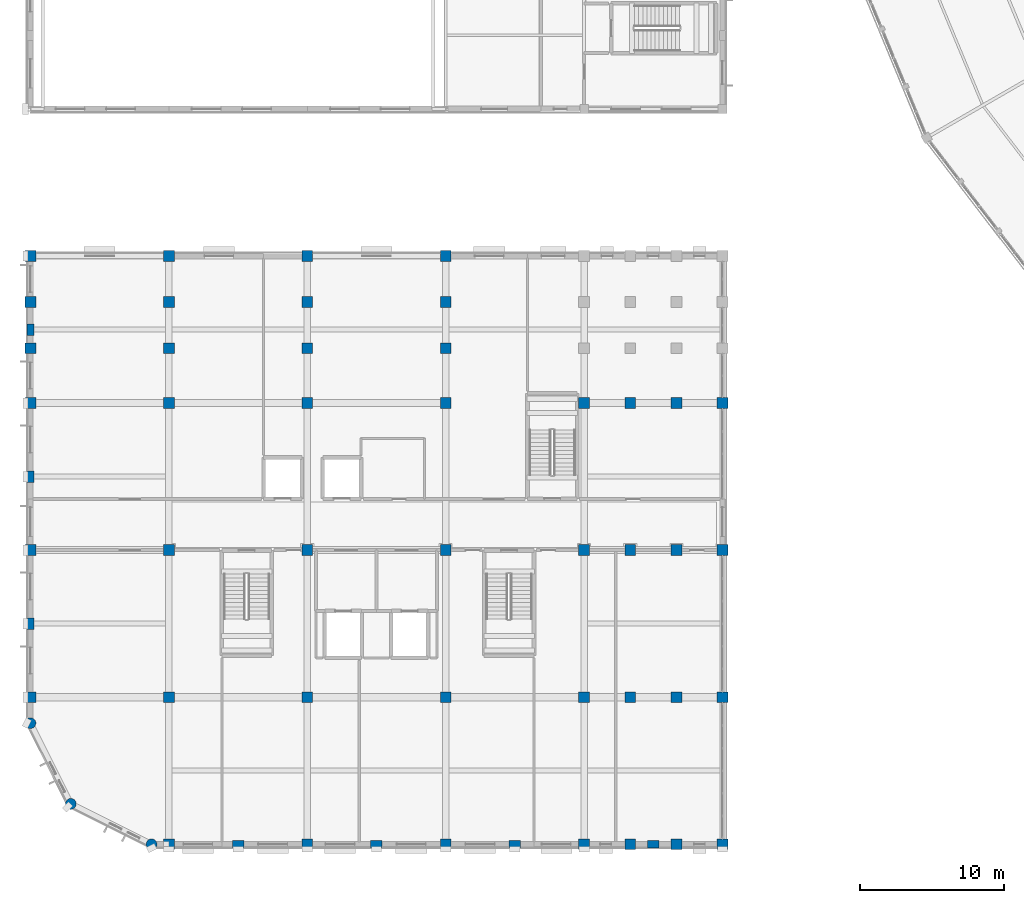
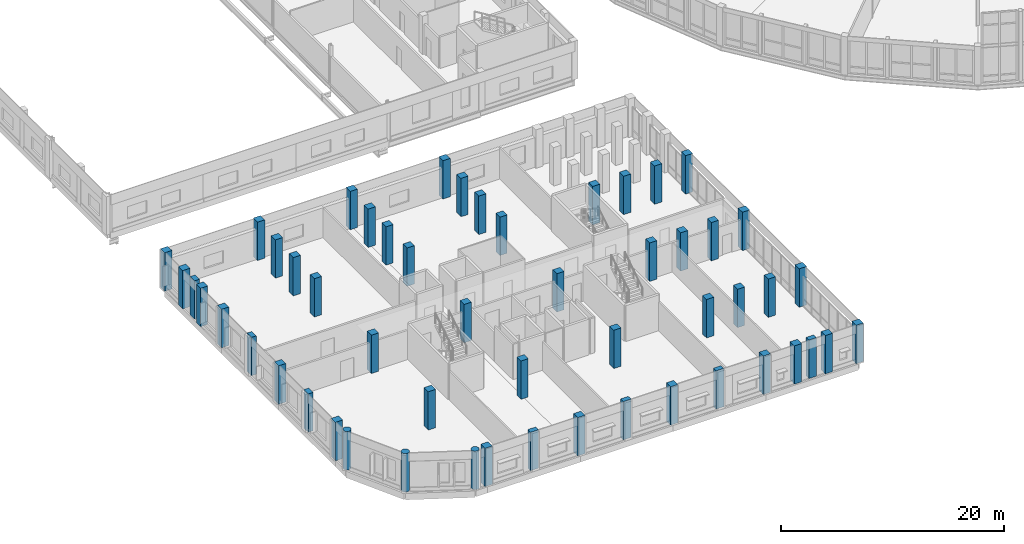
# One storey, part 1 of 170: 53 columns.
"""IFC4 building model written with IfcOpenShell, lengths in metres."""

from ifc_helpers import new_model, si_unit, direction, frame, origin, origin_2d, place, context, subcontext, project, spatial, rectangle, circle, extrude, material, material_profile, profile_set, type_object, element, save


model = new_model("IFC4")

# Units and contexts
model_context = context("Model", 3, precision=1e-05, world=origin(), true_north=direction((0.0, 1.0)))
body_context = subcontext(model_context, "Body", "Model", "MODEL_VIEW")
ifc_project = project(units=[si_unit("LENGTHUNIT", "METRE"), si_unit("AREAUNIT", "SQUARE_METRE"), si_unit("VOLUMEUNIT", "CUBIC_METRE"), si_unit("PLANEANGLEUNIT", "RADIAN"), si_unit("MASSUNIT", "GRAM", prefix="KILO")], contexts=[model_context])

# Site, building, storey
site_placement = place(None, origin())
site = spatial("IfcSite", under=ifc_project, at=site_placement, CompositionType="ELEMENT")
building_placement = place(site_placement, origin())
building = spatial("IfcBuilding", under=site, at=building_placement, Name="Vondelvale Polytechnic", CompositionType="ELEMENT")
storey_placement = place(building_placement, frame((0.0, 0.0, 5.39990234375)))
storey = spatial("IfcBuildingStorey", under=building, at=storey_placement, Name="L01", CompositionType="ELEMENT", Elevation=5.39990234375)

# Columns
ifc_material = material(Name="Concrete N50 (f'c = 50 MPa)", Category="concrete")
ifc_material_profile_1 = material_profile(ifc_material, rectangle(XDim=0.75, YDim=0.75, at=origin_2d()), Name="RC-COL-750x750")
ifc_profile_set_1 = profile_set([ifc_material_profile_1], Name="Concrete N50 (f'c = 50 MPa)")
column_type_1 = type_object("IfcColumnType", Name="COL-RC750", PredefinedType="COLUMN", material=ifc_profile_set_1)
for number, where, z_axis, x_axis, name in (
    (1, (0.0, 10.199951171875, 0.0), (0.0, 0.0, 1.0), (1.0, 0.0, 0.0), "L01 corner wing column (0.0,10.2)"),
    (2, (0.0, 20.39990234375, 0.0), (0.0, 0.0, 1.0), (1.0, 0.0, 0.0), "L01 corner wing column (0.0,20.4)"),
    (3, (0.0, 30.60009765625, 0.0), (0.0, 0.0, 1.0), (1.0, 0.0, 0.0), "L01 corner wing column (0.0,30.6)"),
    (4, (0.0, 34.39990234375, 0.0), (0.0, 0.0, 1.0), (1.0, 0.0, 0.0), "L01 corner wing column (0.0,34.4)"),
    (5, (0.0, 37.60009765625, 0.0), (0.0, 0.0, 1.0), (1.0, 0.0, 0.0), "L01 corner wing column (0.0,37.6)"),
    (6, (0.0, 40.800048828125, 0.0), (0.0, 0.0, 1.0), (1.0, 0.0, 0.0), "L01 corner wing column (0.0,40.8)"),
    (7, (9.60009765625, 0.0, 0.0), (0.0, 0.0, 1.0), (1.0, 0.0, 0.0), "L01 corner wing column (9.6,0.0)"),
    (8, (9.60009765625, 10.199951171875, 0.0), (0.0, 0.0, 1.0), (1.0, 0.0, 0.0), "L01 corner wing column (9.6,10.2)"),
    (9, (9.60009765625, 20.39990234375, 0.0), (0.0, 0.0, 1.0), (1.0, 0.0, 0.0), "L01 corner wing column (9.6,20.4)"),
    (10, (9.60009765625, 30.60009765625, 0.0), (0.0, 0.0, 1.0), (1.0, 0.0, 0.0), "L01 corner wing column (9.6,30.6)"),
    (11, (9.60009765625, 34.39990234375, 0.0), (0.0, 0.0, 1.0), (1.0, 0.0, 0.0), "L01 corner wing column (9.6,34.4)"),
    (12, (9.60009765625, 37.60009765625, 0.0), (0.0, 0.0, 1.0), (1.0, 0.0, 0.0), "L01 corner wing column (9.6,37.6)"),
    (13, (9.60009765625, 40.800048828125, 0.0), (0.0, 0.0, 1.0), (1.0, 0.0, 0.0), "L01 corner wing column (9.6,40.8)"),
    (14, (19.199951171875, 0.0, 0.0), (0.0, 0.0, 1.0), (1.0, 0.0, 0.0), "L01 corner wing column (19.2,0.0)"),
    (15, (19.199951171875, 10.199951171875, 0.0), (0.0, 0.0, 1.0), (1.0, 0.0, 0.0), "L01 corner wing column (19.2,10.2)"),
    (16, (19.199951171875, 20.39990234375, 0.0), (0.0, 0.0, 1.0), (1.0, 0.0, 0.0), "L01 corner wing column (19.2,20.4)"),
    (17, (19.199951171875, 30.60009765625, 0.0), (0.0, 0.0, 1.0), (1.0, 0.0, 0.0), "L01 corner wing column (19.2,30.6)"),
    (18, (19.199951171875, 34.39990234375, 0.0), (0.0, 0.0, 1.0), (1.0, 0.0, 0.0), "L01 corner wing column (19.2,34.4)"),
    (19, (19.199951171875, 37.60009765625, 0.0), (0.0, 0.0, 1.0), (1.0, 0.0, 0.0), "L01 corner wing column (19.2,37.6)"),
    (20, (19.199951171875, 40.800048828125, 0.0), (0.0, 0.0, 1.0), (1.0, 0.0, 0.0), "L01 corner wing column (19.2,40.8)"),
    (21, (28.800048828125, 0.0, 0.0), (0.0, 0.0, 1.0), (1.0, 0.0, 0.0), "L01 corner wing column (28.8,0.0)"),
    (22, (28.800048828125, 10.199951171875, 0.0), (0.0, 0.0, 1.0), (1.0, 0.0, 0.0), "L01 corner wing column (28.8,10.2)"),
    (23, (28.800048828125, 20.39990234375, 0.0), (0.0, 0.0, 1.0), (1.0, 0.0, 0.0), "L01 corner wing column (28.8,20.4)"),
    (24, (28.800048828125, 30.60009765625, 0.0), (0.0, 0.0, 1.0), (1.0, 0.0, 0.0), "L01 corner wing column (28.8,30.6)"),
    (25, (28.800048828125, 34.39990234375, 0.0), (0.0, 0.0, 1.0), (1.0, 0.0, 0.0), "L01 corner wing column (28.8,34.4)"),
    (26, (28.800048828125, 37.60009765625, 0.0), (0.0, 0.0, 1.0), (1.0, 0.0, 0.0), "L01 corner wing column (28.8,37.6)"),
    (27, (28.800048828125, 40.800048828125, 0.0), (0.0, 0.0, 1.0), (1.0, 0.0, 0.0), "L01 corner wing column (28.8,40.8)"),
    (28, (38.39990234375, 0.0, 0.0), (0.0, 0.0, 1.0), (1.0, 0.0, 0.0), "L01 corner wing column (38.4,0.0)"),
    (29, (38.39990234375, 10.199951171875, 0.0), (0.0, 0.0, 1.0), (1.0, 0.0, 0.0), "L01 corner wing column (38.4,10.2)"),
    (30, (38.39990234375, 20.39990234375, 0.0), (0.0, 0.0, 1.0), (1.0, 0.0, 0.0), "L01 corner wing column (38.4,20.4)"),
    (31, (38.39990234375, 30.60009765625, 0.0), (0.0, 0.0, 1.0), (1.0, 0.0, 0.0), "L01 corner wing column (38.4,30.6)"),
    (32, (41.60009765625, 0.0, 0.0), (0.0, 0.0, 1.0), (1.0, 0.0, 0.0), "L01 corner wing column (41.6,0.0)"),
    (33, (41.60009765625, 10.199951171875, 0.0), (0.0, 0.0, 1.0), (1.0, 0.0, 0.0), "L01 corner wing column (41.6,10.2)"),
    (34, (41.60009765625, 20.39990234375, 0.0), (0.0, 0.0, 1.0), (1.0, 0.0, 0.0), "L01 corner wing column (41.6,20.4)"),
    (35, (41.60009765625, 30.60009765625, 0.0), (0.0, 0.0, 1.0), (1.0, 0.0, 0.0), "L01 corner wing column (41.6,30.6)"),
    (36, (44.800048828125, 0.0, 0.0), (0.0, 0.0, 1.0), (1.0, 0.0, 0.0), "L01 corner wing column (44.8,0.0)"),
    (37, (44.800048828125, 10.199951171875, 0.0), (0.0, 0.0, 1.0), (1.0, 0.0, 0.0), "L01 corner wing column (44.8,10.2)"),
    (38, (44.800048828125, 20.39990234375, 0.0), (0.0, 0.0, 1.0), (1.0, 0.0, 0.0), "L01 corner wing column (44.8,20.4)"),
    (39, (44.800048828125, 30.60009765625, 0.0), (0.0, 0.0, 1.0), (1.0, 0.0, 0.0), "L01 corner wing column (44.8,30.6)"),
    (40, (48.0, 0.0, 0.0), (0.0, 0.0, 1.0), (1.0, 0.0, 0.0), "L01 corner wing column (48.0,0.0)"),
    (41, (48.0, 10.199951171875, 0.0), (0.0, 0.0, 1.0), (1.0, 0.0, 0.0), "L01 corner wing column (48.0,10.2)"),
    (42, (48.0, 20.39990234375, 0.0), (0.0, 0.0, 1.0), (1.0, 0.0, 0.0), "L01 corner wing column (48.0,20.4)"),
    (43, (48.0, 30.60009765625, 0.0), (0.0, 0.0, 1.0), (1.0, 0.0, 0.0), "L01 corner wing column (48.0,30.6)"),
):
    element("IfcColumn", number, at=place(storey_placement, frame(where, z_axis=z_axis, x_axis=x_axis)), inside=storey, type_object=column_type_1, Name=name, PredefinedType="COLUMN", context=body_context, shape_type="SweptSolid", body=[
        extrude(rectangle(XDim=0.75, YDim=0.75, at=origin_2d()), origin(), (0.0, 0.0, 1.0), 4.2001953125),
    ])
ifc_material_profile_2 = material_profile(ifc_material, circle(Radius=0.375, at=origin_2d()), Name="RC-COL-D750")
ifc_profile_set_2 = profile_set([ifc_material_profile_2], Name="Concrete N50 (f'c = 50 MPa)")
column_type_2 = type_object("IfcColumnType", Name="COL-RCD750", PredefinedType="COLUMN", material=ifc_profile_set_2)
for number, where, z_axis, x_axis, name in (
    (44, (8.39990234375, 0.0, 0.0), (0.0, 0.0, 1.0), (0.0, 1.0, 0.0), "L01 SW corner turret pier TR-S"),
    (45, (2.800048828125, 2.800048828125, 0.0), (0.0, 0.0, 1.0), (0.707106781187, 0.707106781187, 0.0), "L01 SW corner turret pier TR-M"),
    (46, (0.0, 8.39990234375, 0.0), (0.0, 0.0, 1.0), (1.0, 0.0, 0.0), "L01 SW corner turret pier TR-W"),
):
    element("IfcColumn", number, at=place(storey_placement, frame(where, z_axis=z_axis, x_axis=x_axis)), inside=storey, type_object=column_type_2, Name=name, PredefinedType="COLUMN", context=body_context, shape_type="SweptSolid", body=[
        extrude(circle(Radius=0.375, at=origin_2d()), origin(), (0.0, 0.0, 1.0), 4.2001953125),
    ])
ifc_material_profile_3 = material_profile(ifc_material, rectangle(XDim=0.5, YDim=0.800048828125, at=origin_2d()), Name="RC-PIL-800x500")
ifc_profile_set_3 = profile_set([ifc_material_profile_3], Name="Concrete N50 (f'c = 50 MPa)")
column_type_3 = type_object("IfcColumnType", Name="PIL-RC800x500", PredefinedType="PILASTER", material=ifc_profile_set_3)
for number, where, z_axis, x_axis, name in (
    (47, (14.39990234375, 0.0, 0.0), (0.0, 0.0, 1.0), (0.0, 1.0, 0.0), "L01 South street brick pilaster 1"),
    (48, (24.0, 0.0, 0.0), (0.0, 0.0, 1.0), (0.0, 1.0, 0.0), "L01 South street brick pilaster 2"),
    (49, (33.60009765625, 0.0, 0.0), (0.0, 0.0, 1.0), (0.0, 1.0, 0.0), "L01 South street brick pilaster 3"),
    (50, (43.199951171875, 0.0, 0.0), (0.0, 0.0, 1.0), (0.0, 1.0, 0.0), "L01 South street brick pilaster 4"),
    (51, (0.0, 15.300048828125, 0.0), (0.0, 0.0, 1.0), (1.0, 0.0, 0.0), "L01 West street brick pilaster 1"),
    (52, (0.0, 25.5, 0.0), (0.0, 0.0, 1.0), (1.0, 0.0, 0.0), "L01 West street brick pilaster 2"),
    (53, (0.0, 35.699951171875, 0.0), (0.0, 0.0, 1.0), (1.0, 0.0, 0.0), "L01 West street brick pilaster 3"),
):
    element("IfcColumn", number, at=place(storey_placement, frame(where, z_axis=z_axis, x_axis=x_axis)), inside=storey, type_object=column_type_3, Name=name, PredefinedType="PILASTER", context=body_context, shape_type="SweptSolid", body=[
        extrude(rectangle(XDim=0.5, YDim=0.800048828125, at=origin_2d()), origin(), (0.0, 0.0, 1.0), 4.2001953125),
    ])

save(model, "model.ifc")
